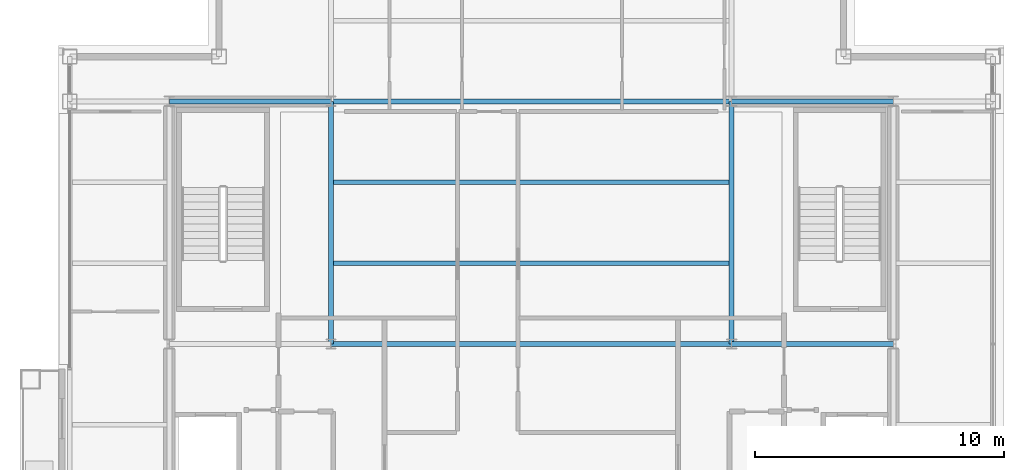
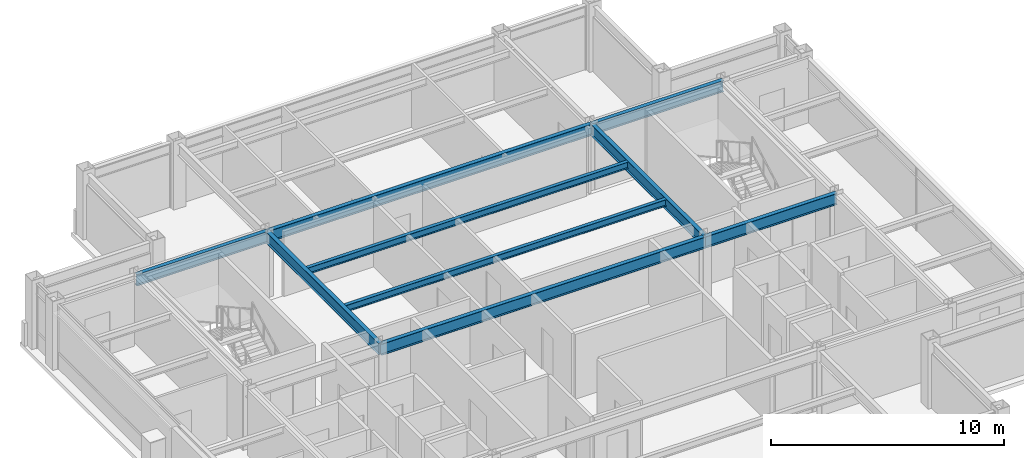
# One storey, part 12 of 24: 9 beams.
"""IFC4 building model written with IfcOpenShell, lengths in metres."""

from ifc_helpers import new_model, si_unit, direction, frame, origin, origin_2d, place, context, subcontext, project, spatial, i_section, extrude, material, material_profile, profile_set, type_object, element, save


model = new_model("IFC4")

# Units and contexts
model_context = context("Model", 3, precision=1e-05, world=origin(), true_north=direction((0.0, 1.0)))
body_context = subcontext(model_context, "Body", "Model", "MODEL_VIEW")
ifc_project = project(units=[si_unit("LENGTHUNIT", "METRE"), si_unit("AREAUNIT", "SQUARE_METRE"), si_unit("VOLUMEUNIT", "CUBIC_METRE"), si_unit("PLANEANGLEUNIT", "RADIAN"), si_unit("MASSUNIT", "GRAM", prefix="KILO")], contexts=[model_context])

# Site, building, storey
site_placement = place(None, origin())
site = spatial("IfcSite", under=ifc_project, at=site_placement, CompositionType="ELEMENT")
building_placement = place(site_placement, origin())
building = spatial("IfcBuilding", under=site, at=building_placement, Name="Brelmoor Portico Tower", CompositionType="ELEMENT")
storey_placement = place(building_placement, frame((0.0, 0.0, 261.60009765625)))
storey = spatial("IfcBuildingStorey", under=building, at=storey_placement, Name="L69", CompositionType="ELEMENT", Elevation=261.60009765625)

# Beams
ifc_material = material(Name="Steel Q355B", Category="steel")
ifc_material_profile_1 = material_profile(ifc_material, i_section(OverallWidth=0.175048828125, OverallDepth=0.35009765625, WebThickness=0.007080078125, FlangeThickness=0.010986328125, at=origin_2d()), Name="HN 350x175x7x11")
ifc_profile_set_1 = profile_set([ifc_material_profile_1], Name="Steel Q355B")
beam_type_1 = type_object("IfcBeamType", Name="BM-JS-350", PredefinedType="JOIST", material=ifc_profile_set_1)
for number, where, z_axis, x_axis, name in (
    (1, (-7.949951171875, 3.25, 3.224853515625), (1.0, 0.0, 0.0), (0.0, 1.0, 0.0), "L69 Secondary Composite Joist JS-C03"),
    (2, (-7.949951171875, 6.5, 3.224853515625), (1.0, 0.0, 0.0), (0.0, 1.0, 0.0), "L69 Secondary Composite Joist JS-C04"),
):
    element("IfcBeam", number, at=place(storey_placement, frame(where, z_axis=z_axis, x_axis=x_axis)), inside=storey, type_object=beam_type_1, Name=name, PredefinedType="JOIST", context=body_context, shape_type="SweptSolid", body=[
        extrude(i_section(OverallWidth=0.175048828125, OverallDepth=0.35009765625, WebThickness=0.007080078125, FlangeThickness=0.010986328125, at=origin_2d()), origin(), (0.0, 0.0, 1.0), 15.89990234375),
    ])
ifc_material_profile_2 = material_profile(ifc_material, i_section(OverallWidth=0.199951171875, OverallDepth=0.60009765625, WebThickness=0.010986328125, FlangeThickness=0.01708984375, at=origin_2d()), Name="HN 600x200x11x17")
ifc_profile_set_2 = profile_set([ifc_material_profile_2], Name="Steel Q355B")
beam_type_2 = type_object("IfcBeamType", Name="BM-PG-600", PredefinedType="BEAM", material=ifc_profile_set_2)
for number, where, z_axis, x_axis, name in (
    (3, (-8.050048828125, 0.0, 3.099853515625), (0.0, 1.0, 0.0), (-1.0, 0.0, 0.0), "L69 Primary Floor Girder PG-04"),
    (4, (8.050048828125, 0.0, 3.099853515625), (0.0, 1.0, 0.0), (-1.0, 0.0, 0.0), "L69 Primary Floor Girder PG-07"),
):
    element("IfcBeam", number, at=place(storey_placement, frame(where, z_axis=z_axis, x_axis=x_axis)), inside=storey, type_object=beam_type_2, Name=name, PredefinedType="BEAM", context=body_context, shape_type="SweptSolid", body=[
        extrude(i_section(OverallWidth=0.199951171875, OverallDepth=0.60009765625, WebThickness=0.010986328125, FlangeThickness=0.01708984375, at=origin_2d()), origin(), (0.0, 0.0, 1.0), 9.75),
    ])
beam_1_placement = place(storey_placement, frame((-8.050048828125, 0.0, 3.099853515625), z_axis=(1.0, 0.0, 0.0), x_axis=(0.0, 1.0, 0.0)))
element("IfcBeam", 5, at=beam_1_placement, inside=storey, type_object=beam_type_2, Name="L69 Primary Floor Girder PG-17", PredefinedType="BEAM", context=body_context, shape_type="SweptSolid", body=[
    extrude(i_section(OverallWidth=0.199951171875, OverallDepth=0.60009765625, WebThickness=0.010986328125, FlangeThickness=0.01708984375, at=origin_2d()), origin(), (0.0, 0.0, 1.0), 16.10009765625),
])
for number, where, z_axis, x_axis, name in (
    (6, (8.050048828125, 0.0, 3.099853515625), (1.0, 0.0, 0.0), (0.0, 1.0, 0.0), "L69 Primary Floor Girder PG-18"),
    (7, (-14.550048828125, 9.75, 3.099853515625), (1.0, 0.0, 0.0), (0.0, 1.0, 0.0), "L69 Primary Floor Girder PG-20"),
):
    element("IfcBeam", number, at=place(storey_placement, frame(where, z_axis=z_axis, x_axis=x_axis)), inside=storey, type_object=beam_type_2, Name=name, PredefinedType="BEAM", context=body_context, shape_type="SweptSolid", body=[
        extrude(i_section(OverallWidth=0.199951171875, OverallDepth=0.60009765625, WebThickness=0.010986328125, FlangeThickness=0.01708984375, at=origin_2d()), origin(), (0.0, 0.0, 1.0), 6.5),
    ])
beam_2_placement = place(storey_placement, frame((-8.050048828125, 9.75, 3.099853515625), z_axis=(1.0, 0.0, 0.0), x_axis=(0.0, 1.0, 0.0)))
element("IfcBeam", 8, at=beam_2_placement, inside=storey, type_object=beam_type_2, Name="L69 Primary Floor Girder PG-21", PredefinedType="BEAM", context=body_context, shape_type="SweptSolid", body=[
    extrude(i_section(OverallWidth=0.199951171875, OverallDepth=0.60009765625, WebThickness=0.010986328125, FlangeThickness=0.01708984375, at=origin_2d()), origin(), (0.0, 0.0, 1.0), 16.10009765625),
])
beam_3_placement = place(storey_placement, frame((8.050048828125, 9.75, 3.099853515625), z_axis=(1.0, 0.0, 0.0), x_axis=(0.0, 1.0, 0.0)))
element("IfcBeam", 9, at=beam_3_placement, inside=storey, type_object=beam_type_2, Name="L69 Primary Floor Girder PG-22", PredefinedType="BEAM", context=body_context, shape_type="SweptSolid", body=[
    extrude(i_section(OverallWidth=0.199951171875, OverallDepth=0.60009765625, WebThickness=0.010986328125, FlangeThickness=0.01708984375, at=origin_2d()), origin(), (0.0, 0.0, 1.0), 6.5),
])

save(model, "model.ifc")
